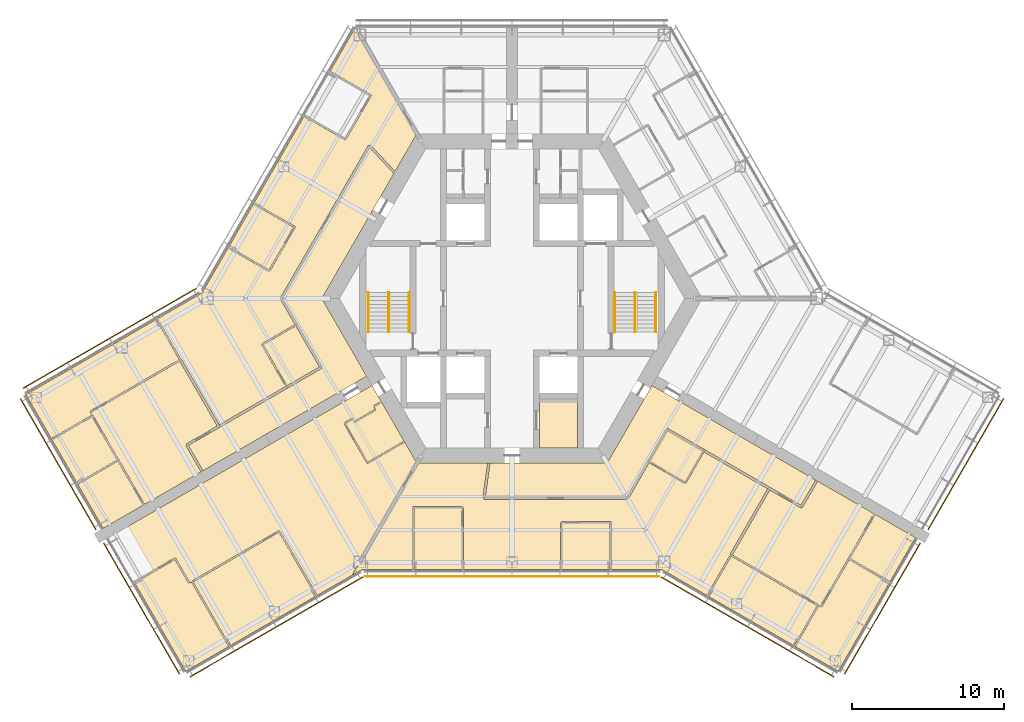
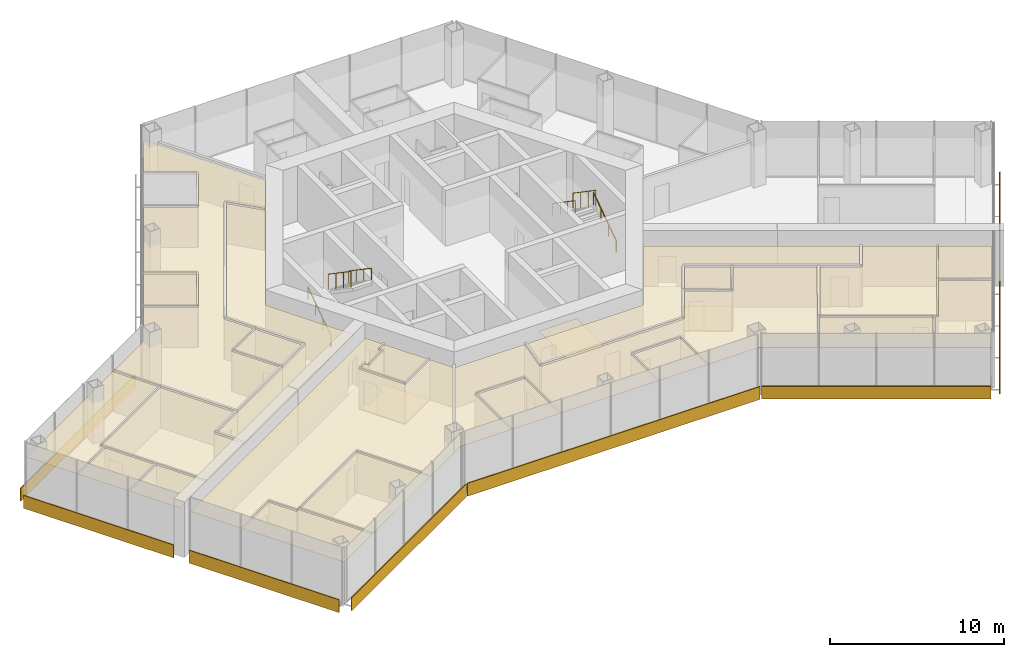
# One storey, part 18 of 19: 24 coverings, 8 shading devices, 6 railings.
"""IFC4 building model written with IfcOpenShell, lengths in metres."""

import ifcopenshell
import ifcopenshell.guid

model = None  # the IFC model being written
_history = None  # IfcOwnerHistory: only IFC2X3 demands one
_inside = {}  # id of a spatial element -> (the spatial element, [elements in it])
_under = {}  # id of a project, library or spatial element -> (it, [spatial elements below it])
_declared = {}  # id of a project -> (the project, [libraries it declares])
_typed = {}  # id of a type object -> (the type object, [elements of that type])
_made_of = {}  # id of a material, layer set ... -> (it, [elements and type objects made of it])


def new_model(schema):
    """Start an empty IFC model of exactly this schema.

    Asked for "IFC4X3", IfcOpenShell would pick the latest addendum, in which some entities
    have other attributes; the version numbers below select the first issue.
    IFC2X3 requires an IfcOwnerHistory on every rooted entity: one is made here for all.
    """
    global model, _history
    if schema == "IFC4X3":
        model = ifcopenshell.file(schema_version=(4, 3, 0, 0))
    else:
        model = ifcopenshell.file(schema=schema)
    _inside.clear()
    _under.clear()
    _declared.clear()
    _typed.clear()
    _made_of.clear()
    _history = None
    if model.schema == "IFC2X3":
        org = make("IfcOrganization", Name="unknown")
        user = make(
            "IfcPersonAndOrganization",
            ThePerson=make("IfcPerson", FamilyName="unknown"),
            TheOrganization=org,
        )
        app = make(
            "IfcApplication",
            ApplicationDeveloper=org,
            Version="unknown",
            ApplicationFullName="unknown",
            ApplicationIdentifier="unknown",
        )
        _history = make(
            "IfcOwnerHistory",
            OwningUser=user,
            OwningApplication=app,
            ChangeAction="ADDED",
            CreationDate=0,
        )
    return model


def make(cls, **values):
    """One entity of the class cls with the attributes given. An attribute that is None is left unset."""
    return model.create_entity(
        cls, **{name: value for name, value in values.items() if value is not None}
    )


def rooted(cls, **values):
    """An entity with a GlobalId (a new one), such as an element, a storey or a relation."""
    return make(cls, GlobalId=ifcopenshell.guid.new(), OwnerHistory=_history, **values)


def si_unit(unit_type, name, prefix=None):
    """IfcSIUnit, for example si_unit("LENGTHUNIT", "METRE", prefix="MILLI")."""
    return make("IfcSIUnit", UnitType=unit_type, Prefix=prefix, Name=name)


def assignment(units):
    """IfcUnitAssignment: the units of a project."""
    return None if units is None else make("IfcUnitAssignment", Units=units)


def point(xyz):
    """IfcCartesianPoint."""
    return None if xyz is None else make("IfcCartesianPoint", Coordinates=xyz)


def direction(xyz):
    """IfcDirection."""
    return None if xyz is None else make("IfcDirection", DirectionRatios=xyz)


def frame(location, z_axis=None, x_axis=None):
    """IfcAxis2Placement3D, a coordinate frame: its origin and axes. An axis left out is left unset."""
    return make(
        "IfcAxis2Placement3D",
        Location=point(location),
        Axis=direction(z_axis),
        RefDirection=direction(x_axis),
    )


def frame_2d(location, x_axis=None):
    """IfcAxis2Placement2D, a coordinate frame in the plane: its origin and x axis."""
    return make(
        "IfcAxis2Placement2D", Location=point(location), RefDirection=direction(x_axis)
    )


def origin():
    """The frame at (0, 0, 0) with its axes left unset."""
    return frame((0.0, 0.0, 0.0))


def origin_2d():
    """The frame at (0, 0) in the plane with its x axis left unset."""
    return frame_2d((0.0, 0.0))


def place(relative_to, where):
    """IfcLocalPlacement: puts the frame where relative to a parent placement (None: the world)."""
    return make(
        "IfcLocalPlacement", PlacementRelTo=relative_to, RelativePlacement=where
    )


def context(
    kind, dimensions, precision=None, world=None, true_north=None, identifier=None
):
    """IfcGeometricRepresentationContext, for example the 3D "Model" context."""
    return make(
        "IfcGeometricRepresentationContext",
        ContextIdentifier=identifier,
        ContextType=kind,
        CoordinateSpaceDimension=dimensions,
        Precision=precision,
        WorldCoordinateSystem=world,
        TrueNorth=true_north,
    )


def subcontext(parent, identifier, kind, view, scale=None):
    """IfcGeometricRepresentationSubContext, for example "Body" below "Model"."""
    return make(
        "IfcGeometricRepresentationSubContext",
        ContextIdentifier=identifier,
        ContextType=kind,
        ParentContext=parent,
        TargetScale=scale,
        TargetView=view,
    )


def project(units=None, contexts=None):
    """IfcProject with its units and contexts."""
    return rooted(
        "IfcProject",
        Name="project",
        RepresentationContexts=contexts,
        UnitsInContext=assignment(units),
    )


def spatial(cls, under=None, at=None, **own):
    """A site, building, storey or space (cls), placed at a placement, below another one or the project."""
    s = rooted(cls, ObjectPlacement=at, **own)
    if under is not None:
        _under.setdefault(under.id(), (under, []))[1].append(s)
    return s


def polyline(points):
    """IfcPolyline through the points."""
    return make("IfcPolyline", Points=[point(p) for p in points])


def profile(cls, at=None, kind="AREA", **sizes):
    """A parametric profile (cls). Its sizes go by their IFC names, for example OverallWidth=200.0."""
    return make(cls, ProfileType=kind, Position=at, **sizes)


def rectangle(**sizes):
    """IfcRectangleProfileDef."""
    return profile("IfcRectangleProfileDef", **sizes)


def circle(**sizes):
    """IfcCircleProfileDef."""
    return profile("IfcCircleProfileDef", **sizes)


def outline(outer, holes=None, kind="AREA"):
    """IfcArbitraryClosedProfileDef: a profile drawn as a closed curve; with holes, ...WithVoids."""
    if holes is None:
        return make("IfcArbitraryClosedProfileDef", ProfileType=kind, OuterCurve=outer)
    return make(
        "IfcArbitraryProfileDefWithVoids",
        ProfileType=kind,
        OuterCurve=outer,
        InnerCurves=holes,
    )


def extrude(swept, where, along, depth):
    """IfcExtrudedAreaSolid: the profile swept, set in the frame where, extruded along a direction by depth."""
    return make(
        "IfcExtrudedAreaSolid",
        SweptArea=swept,
        Position=where,
        ExtrudedDirection=direction(along),
        Depth=depth,
    )


def shape(context_of_items, identifier, shape_type, items):
    """IfcShapeRepresentation: the items that make up one representation, for example the "Body"."""
    return make(
        "IfcShapeRepresentation",
        ContextOfItems=context_of_items,
        RepresentationIdentifier=identifier,
        RepresentationType=shape_type,
        Items=items,
    )


def material(Name=None, Category=None):
    """IfcMaterial."""
    return make("IfcMaterial", Name=Name, Category=Category)


def layer(
    of_material, thickness, ventilated=None, Name=None, Category=None, Priority=None
):
    """IfcMaterialLayer: one layer of a wall or slab, of a material (None: an air gap)."""
    return make(
        "IfcMaterialLayer",
        Material=of_material,
        LayerThickness=thickness,
        IsVentilated=ventilated,
        Name=Name,
        Category=Category,
        Priority=Priority,
    )


def layer_set(layers, Name=None):
    """IfcMaterialLayerSet."""
    return make("IfcMaterialLayerSet", MaterialLayers=layers, LayerSetName=Name)


def made_of(thing, what):
    """Note that an element or type object is made of a material, layer set ...; save() writes the relation."""
    if what is not None:
        _made_of.setdefault(what.id(), (what, []))[1].append(thing)
    return thing


def type_object(cls, material=None, **own):
    """A type object (cls), such as IfcWallType, which elements share."""
    return made_of(rooted(cls, **own), material)


def element(
    cls,
    number,
    at=None,
    inside=None,
    cuts=None,
    type_object=None,
    material=None,
    context=None,
    identifier="Body",
    shape_type=None,
    held_by="IfcProductDefinitionShape",
    body=None,
    shapes=None,
    **own,
):
    """One element of the class cls, such as IfcWall. Its Tag is "e" and its number.

    at: its placement. inside: the storey or other place that contains it. cuts: it is an
    opening in that element (IfcRelVoidsElement). A single representation is given by context,
    identifier, shape_type and body (its items); several are given by shapes. held_by: the class
    of the entity that holds the representations. save() writes the other relations.
    """
    e = rooted(cls, Tag="e%d" % number, ObjectPlacement=at, **own)
    if body is not None:
        shapes = [shape(context, identifier, shape_type, body)]
    if shapes is not None:
        e.Representation = make(held_by, Representations=shapes)
    if inside is not None:
        _inside.setdefault(inside.id(), (inside, []))[1].append(e)
    if cuts is not None:
        rooted(
            "IfcRelVoidsElement", RelatingBuildingElement=cuts, RelatedOpeningElement=e
        )
    if type_object is not None:
        _typed.setdefault(type_object.id(), (type_object, []))[1].append(e)
    return made_of(e, material)


def aggregate(whole, parts):
    """IfcRelAggregates: a whole, such as a stair, and the parts it consists of."""
    return rooted("IfcRelAggregates", RelatingObject=whole, RelatedObjects=parts)


def save(model, path):
    """Write the relations noted so far, then the file.

    IfcRelAggregates (storeys below a building ...), IfcRelContainedInSpatialStructure (elements
    in a storey), IfcRelDefinesByType, IfcRelAssociatesMaterial and IfcRelDeclares: one each for
    every whole, place, type object, material and project.
    """
    for whole, parts in _under.values():
        aggregate(whole, parts)
    for where, things in _inside.values():
        rooted(
            "IfcRelContainedInSpatialStructure",
            RelatedElements=things,
            RelatingStructure=where,
        )
    for kind, things in _typed.values():
        rooted("IfcRelDefinesByType", RelatedObjects=things, RelatingType=kind)
    for what, things in _made_of.values():
        rooted("IfcRelAssociatesMaterial", RelatedObjects=things, RelatingMaterial=what)
    for by, libraries in _declared.values():
        rooted("IfcRelDeclares", RelatingContext=by, RelatedDefinitions=libraries)
    model.write(path)


model = new_model("IFC4")

# Units and contexts
model_context = context("Model", 3, precision=1e-05, world=origin(), true_north=direction((0.0, 1.0)))
body_context = subcontext(model_context, "Body", "Model", "MODEL_VIEW")
ifc_project = project(units=[si_unit("LENGTHUNIT", "METRE"), si_unit("AREAUNIT", "SQUARE_METRE"), si_unit("VOLUMEUNIT", "CUBIC_METRE"), si_unit("PLANEANGLEUNIT", "RADIAN"), si_unit("MASSUNIT", "GRAM", prefix="KILO")], contexts=[model_context])

# Site, building, storey
site_placement = place(None, origin())
site = spatial("IfcSite", under=ifc_project, at=site_placement, CompositionType="ELEMENT")
building_placement = place(site_placement, origin())
building = spatial("IfcBuilding", under=site, at=building_placement, Name="Kasaneha Research Tower", CompositionType="ELEMENT")
storey_placement = place(building_placement, frame((0.0, 0.0, 164.300048828125)))
storey = spatial("IfcBuildingStorey", under=building, at=storey_placement, Name="L41", CompositionType="ELEMENT", Elevation=164.300048828125)

# Railings
ifc_material_1 = material(Name="Steel", Category="steel")
railing_type_1 = type_object("IfcRailingType", Name="Stair balustrade 1100", PredefinedType="GUARDRAIL", material=ifc_material_1)
for number, where, name in (
    (1, (8.10009765625, 0.39990234375, 2.127197265625), "Stair 1 balustrade L41"),
    (2, (-8.10009765625, 0.39990234375, 2.127197265625), "Stair 2 balustrade L41"),
):
    element("IfcRailing", number, at=place(storey_placement, frame(where)), inside=storey, type_object=railing_type_1, Name=name, PredefinedType="GUARDRAIL", context=body_context, shape_type="SweptSolid", body=[
        extrude(circle(Radius=0.02392578125, at=origin_2d()), frame((0.0, 0.0, 1.076171875), z_axis=(0.0, -0.826215852431, 0.563353676824), x_axis=(1.0, 0.0, 0.0)), (0.0, 0.0, 1.0), 3.146728515625),
        extrude(circle(Radius=0.02099609375, at=origin_2d()), origin(), (0.0, 0.0, 1.0), 1.052001953125),
        extrude(circle(Radius=0.02099609375, at=origin_2d()), frame((0.0, -0.86669921875, 0.5908203125)), (0.0, 0.0, 1.0), 1.052001953125),
        extrude(circle(Radius=0.02099609375, at=origin_2d()), frame((0.0, -1.733154296875, 1.181884765625)), (0.0, 0.0, 1.0), 1.052001953125),
        extrude(circle(Radius=0.02099609375, at=origin_2d()), frame((0.0, -2.599853515625, 1.772705078125)), (0.0, 0.0, 1.0), 1.052001953125),
    ])
ifc_material_2 = material(Name="Steel", Category="steel")
railing_type_2 = type_object("IfcRailingType", Name="Stair handrail 850", PredefinedType="HANDRAIL", material=ifc_material_2)
railing_1_placement = place(storey_placement, frame((9.449951171875, -2.199951171875, 0.17724609375)))
element("IfcRailing", 3, at=railing_1_placement, inside=storey, type_object=railing_type_2, Name="Stair 1 handrail L41", PredefinedType="HANDRAIL", context=body_context, shape_type="SweptSolid", body=[
    extrude(circle(Radius=0.02392578125, at=origin_2d()), frame((0.0, 0.0, 0.826171875), z_axis=(0.0, 0.826215852431, 0.563353676824), x_axis=(-1.0, 0.0, 0.0)), (0.0, 0.0, 1.0), 3.146728515625),
    extrude(circle(Radius=0.02099609375, at=origin_2d()), origin(), (0.0, 0.0, 1.0), 0.802001953125),
    extrude(circle(Radius=0.02099609375, at=origin_2d()), frame((0.0, 0.86669921875, 0.5908203125)), (0.0, 0.0, 1.0), 0.802001953125),
    extrude(circle(Radius=0.02099609375, at=origin_2d()), frame((0.0, 1.733154296875, 1.181884765625)), (0.0, 0.0, 1.0), 0.802001953125),
    extrude(circle(Radius=0.02099609375, at=origin_2d()), frame((0.0, 2.599853515625, 1.772705078125)), (0.0, 0.0, 1.0), 0.802001953125),
])
railing_2_placement = place(storey_placement, frame((6.75, 0.39990234375, 2.127197265625)))
element("IfcRailing", 4, at=railing_2_placement, inside=storey, type_object=railing_type_2, Name="Stair 1 handrail L41", PredefinedType="HANDRAIL", context=body_context, shape_type="SweptSolid", body=[
    extrude(circle(Radius=0.02392578125, at=origin_2d()), frame((0.0, 0.0, 0.826171875), z_axis=(0.0, -0.826215852431, 0.563353676824), x_axis=(1.0, 0.0, 0.0)), (0.0, 0.0, 1.0), 3.146728515625),
    extrude(circle(Radius=0.02099609375, at=origin_2d()), origin(), (0.0, 0.0, 1.0), 0.802001953125),
    extrude(circle(Radius=0.02099609375, at=origin_2d()), frame((0.0, -0.86669921875, 0.5908203125)), (0.0, 0.0, 1.0), 0.802001953125),
    extrude(circle(Radius=0.02099609375, at=origin_2d()), frame((0.0, -1.733154296875, 1.181884765625)), (0.0, 0.0, 1.0), 0.802001953125),
    extrude(circle(Radius=0.02099609375, at=origin_2d()), frame((0.0, -2.599853515625, 1.772705078125)), (0.0, 0.0, 1.0), 0.802001953125),
])
railing_3_placement = place(storey_placement, frame((-9.449951171875, -2.199951171875, 0.17724609375)))
element("IfcRailing", 5, at=railing_3_placement, inside=storey, type_object=railing_type_2, Name="Stair 2 handrail L41", PredefinedType="HANDRAIL", context=body_context, shape_type="SweptSolid", body=[
    extrude(circle(Radius=0.02392578125, at=origin_2d()), frame((0.0, 0.0, 0.826171875), z_axis=(0.0, 0.826215852431, 0.563353676824), x_axis=(-1.0, 0.0, 0.0)), (0.0, 0.0, 1.0), 3.146728515625),
    extrude(circle(Radius=0.02099609375, at=origin_2d()), origin(), (0.0, 0.0, 1.0), 0.802001953125),
    extrude(circle(Radius=0.02099609375, at=origin_2d()), frame((0.0, 0.86669921875, 0.5908203125)), (0.0, 0.0, 1.0), 0.802001953125),
    extrude(circle(Radius=0.02099609375, at=origin_2d()), frame((0.0, 1.733154296875, 1.181884765625)), (0.0, 0.0, 1.0), 0.802001953125),
    extrude(circle(Radius=0.02099609375, at=origin_2d()), frame((0.0, 2.599853515625, 1.772705078125)), (0.0, 0.0, 1.0), 0.802001953125),
])
railing_4_placement = place(storey_placement, frame((-6.75, 0.39990234375, 2.127197265625)))
element("IfcRailing", 6, at=railing_4_placement, inside=storey, type_object=railing_type_2, Name="Stair 2 handrail L41", PredefinedType="HANDRAIL", context=body_context, shape_type="SweptSolid", body=[
    extrude(circle(Radius=0.02392578125, at=origin_2d()), frame((0.0, 0.0, 0.826171875), z_axis=(0.0, -0.826215852431, 0.563353676824), x_axis=(1.0, 0.0, 0.0)), (0.0, 0.0, 1.0), 3.146728515625),
    extrude(circle(Radius=0.02099609375, at=origin_2d()), origin(), (0.0, 0.0, 1.0), 0.802001953125),
    extrude(circle(Radius=0.02099609375, at=origin_2d()), frame((0.0, -0.86669921875, 0.5908203125)), (0.0, 0.0, 1.0), 0.802001953125),
    extrude(circle(Radius=0.02099609375, at=origin_2d()), frame((0.0, -1.733154296875, 1.181884765625)), (0.0, 0.0, 1.0), 0.802001953125),
    extrude(circle(Radius=0.02099609375, at=origin_2d()), frame((0.0, -2.599853515625, 1.772705078125)), (0.0, 0.0, 1.0), 0.802001953125),
])

# Coverings
ifc_material_3 = material(Name="Gypsum ceiling board", Category="gypsum")
ifc_layer_1 = layer(ifc_material_3, 0.02001953125)
ifc_layer_set_1 = layer_set([ifc_layer_1], Name="Suspended ceiling 20")
covering_type_1 = type_object("IfcCoveringType", Name="Suspended ceiling 20", PredefinedType="CEILING", material=ifc_layer_set_1)
covering_1_placement = place(storey_placement, frame((0.0, 0.0, 2.800048828125)))
element("IfcCovering", 7, at=covering_1_placement, inside=storey, type_object=covering_type_1, Name="Ceiling L41-36", PredefinedType="CEILING", context=body_context, shape_type="SweptSolid", body=[
    extrude(outline(polyline([(-9.5498046875, -5.109375), (-10.3291015625, -5.559326171875), (-10.3291015625, -5.559326171875), (-20.37109375, -11.357177734375), (-20.381103515625, -11.33984375), (-20.316162109375, -11.30224609375), (-21.268798828125, -9.652587890625), (-19.234130859375, -8.477783203125), (-19.23388671875, -8.477783203125), (-14.751953125, -5.89013671875), (-14.751953125, -5.89013671875), (-12.504150390625, -4.59228515625), (-12.54150390625, -4.52734375), (-12.4765625, -4.48974609375), (-14.099365234375, -1.67919921875), (-14.099365234375, -1.67919921875), (-15.06884765625, 0.0), (-9.345947265625, 9.912353515625), (-7.7890625, 8.24267578125), (-7.734130859375, 8.2939453125), (-7.719970703125, 8.278564453125), (-12.49951171875, 0.0), (-9.5498046875, -5.109375)])), origin(), (0.0, 0.0, 1.0), 0.02001953125),
])
covering_2_placement = place(storey_placement, frame((0.0, 0.0, 2.800048828125)))
element("IfcCovering", 8, at=covering_2_placement, inside=storey, type_object=covering_type_1, Name="Ceiling L41-37", PredefinedType="CEILING", context=body_context, shape_type="SweptSolid", body=[
    extrude(outline(polyline([(-23.332275390625, -1.36962890625), (-23.37548828125, -1.39453125), (-21.86669921875, -4.01708984375), (-27.730224609375, -7.40869140625), (-27.705322265625, -7.4521484375), (-27.705322265625, -7.4521484375), (-27.564453125, -7.69677734375), (-27.564453125, -7.69677734375), (-27.592041015625, -7.649169921875), (-30.257568359375, -9.193603515625), (-30.232421875, -9.23681640625), (-30.25, -9.2470703125), (-31.94189453125, -6.31689453125), (-29.075439453125, -4.661865234375), (-28.665771484375, -5.370849609375), (-29.074951171875, -4.662109375), (-23.34228515625, -1.352294921875), (-23.332275390625, -1.36962890625)])), origin(), (0.0, 0.0, 1.0), 0.02001953125),
])
covering_3_placement = place(storey_placement, frame((0.0, 0.0, 2.800048828125)))
element("IfcCovering", 9, at=covering_3_placement, inside=storey, type_object=covering_type_1, Name="Ceiling L41-38", PredefinedType="CEILING", context=body_context, shape_type="SweptSolid", body=[
    extrude(outline(polyline([(-30.249755859375, -9.2470703125), (-30.232421875, -9.237060546875), (-30.207275390625, -9.2802734375), (-27.589111328125, -7.76318359375), (-25.94775390625, -10.606689453125), (-28.5830078125, -12.1337890625), (-30.249755859375, -9.2470703125)])), origin(), (0.0, 0.0, 1.0), 0.02001953125),
])
covering_4_placement = place(storey_placement, frame((0.0, 0.0, 2.800048828125)))
element("IfcCovering", 10, at=covering_4_placement, inside=storey, type_object=covering_type_1, Name="Ceiling L41-39", PredefinedType="CEILING", context=body_context, shape_type="SweptSolid", body=[
    extrude(outline(polyline([(-28.532958984375, -12.220458984375), (-25.897705078125, -10.693359375), (-24.23486328125, -13.56494140625), (-24.191650390625, -13.539794921875), (-24.181640625, -13.55712890625), (-26.866455078125, -15.107177734375), (-28.532958984375, -12.220458984375)])), origin(), (0.0, 0.0, 1.0), 0.02001953125),
])
covering_5_placement = place(storey_placement, frame((0.0, 0.0, 2.800048828125)))
element("IfcCovering", 11, at=covering_5_placement, inside=storey, type_object=covering_type_1, Name="Ceiling L41-40", PredefinedType="CEILING", context=body_context, shape_type="SweptSolid", body=[
    extrude(outline(polyline([(-16.99658203125, 6.201904296875), (-14.355224609375, 4.677001953125), (-15.970703125, 1.87890625), (-18.5947265625, 3.393798828125), (-18.619873046875, 3.3505859375), (-18.63720703125, 3.360595703125), (-16.99658203125, 6.201904296875)])), origin(), (0.0, 0.0, 1.0), 0.02001953125),
])
covering_6_placement = place(storey_placement, frame((0.0, 0.0, 2.800048828125)))
element("IfcCovering", 12, at=covering_6_placement, inside=storey, type_object=covering_type_1, Name="Ceiling L41-42", PredefinedType="CEILING", context=body_context, shape_type="SweptSolid", body=[
    extrude(outline(polyline([(-16.349853515625, -3.03125), (-14.204345703125, -1.79736328125), (-12.64404296875, -4.499755859375), (-14.78369140625, -5.735107421875), (-16.349853515625, -3.03125)])), origin(), (0.0, 0.0, 1.0), 0.02001953125),
])
covering_7_placement = place(storey_placement, frame((0.0, 0.0, 2.800048828125)))
element("IfcCovering", 13, at=covering_7_placement, inside=storey, type_object=covering_type_1, Name="Ceiling L41-43", PredefinedType="CEILING", context=body_context, shape_type="SweptSolid", body=[
    extrude(outline(polyline([(-9.360595703125, 10.037841796875), (-9.360595703125, 10.037841796875), (-9.425048828125, 10.0751953125), (-15.220458984375, 0.03759765625), (-15.15576171875, 0.000244140625), (-15.156005859375, 0.000244140625), (-15.15576171875, -0.000244140625), (-15.220458984375, -0.03759765625), (-14.25439453125, -1.710693359375), (-16.443115234375, -2.969482421875), (-16.41845703125, -3.012451171875), (-16.418701171875, -3.0126953125), (-16.418701171875, -3.012939453125), (-16.46142578125, -3.037841796875), (-14.870361328125, -5.78515625), (-19.2353515625, -8.305419921875), (-21.729248046875, -3.995361328125), (-21.75537109375, -4.01025390625), (-23.288818359375, -1.3447265625), (-23.331787109375, -1.369384765625), (-23.341796875, -1.35205078125), (-20.365966796875, 0.365966796875), (-18.637451171875, 3.360107421875), (-18.6201171875, 3.35009765625), (-18.644775390625, 3.30712890625), (-15.9775390625, 1.76708984375), (-15.952392578125, 1.810546875), (-15.9521484375, 1.810302734375), (-15.9521484375, 1.810302734375), (-15.9091796875, 1.785400390625), (-14.24365234375, 4.670166015625), (-14.28662109375, 4.695068359375), (-14.28662109375, 4.6953125), (-14.286865234375, 4.695556640625), (-14.261962890625, 4.738525390625), (-16.94677734375, 6.28857421875), (-13.64111328125, 12.01416015625), (-13.62353515625, 12.004150390625), (-13.6484375, 11.961181640625), (-10.981201171875, 10.421142578125), (-10.9560546875, 10.464599609375), (-10.912841796875, 10.439453125), (-9.247314453125, 13.32421875), (-9.290283203125, 13.34912109375), (-9.2900390625, 13.349365234375), (-9.29052734375, 13.349609375), (-9.265625, 13.392578125), (-11.9501953125, 14.9423828125), (-10.28857421875, 17.820556640625), (-6.249755859375, 10.824951171875), (-7.6806640625, 8.346435546875), (-9.305419921875, 10.0888671875), (-9.360107421875, 10.03759765625), (-9.3603515625, 10.03759765625), (-9.360595703125, 10.037841796875)])), origin(), (0.0, 0.0, 1.0), 0.02001953125),
])
covering_8_placement = place(storey_placement, frame((0.0, 0.0, 2.800048828125)))
element("IfcCovering", 14, at=covering_8_placement, inside=storey, type_object=covering_type_1, Name="Ceiling L41-44", PredefinedType="CEILING", context=body_context, shape_type="SweptSolid", body=[
    extrude(outline(polyline([(-23.14501953125, -12.958740234375), (-24.18115234375, -13.556884765625), (-24.191162109375, -13.53955078125), (-24.1484375, -13.5146484375), (-25.833740234375, -10.604248046875), (-27.525146484375, -7.674072265625), (-27.564208984375, -7.696533203125), (-27.705322265625, -7.4521484375), (-27.705322265625, -7.4521484375), (-27.68017578125, -7.495361328125), (-21.833984375, -4.11376953125), (-19.365234375, -8.38037109375), (-21.40869140625, -9.56005859375), (-21.37109375, -9.625), (-21.43603515625, -9.66259765625), (-20.446044921875, -11.377197265625), (-20.381591796875, -11.340087890625), (-20.37158203125, -11.357421875), (-23.14501953125, -12.958740234375)])), origin(), (0.0, 0.0, 1.0), 0.02001953125),
])
covering_9_placement = place(storey_placement, frame((0.0, 0.0, 2.800048828125)))
element("IfcCovering", 15, at=covering_9_placement, inside=storey, type_object=covering_type_1, Name="Ceiling L41-45", PredefinedType="CEILING", context=body_context, shape_type="SweptSolid", body=[
    extrude(outline(polyline([(-10.35498046875, -8.11474609375), (-10.35498046875, -8.11474609375), (-10.330078125, -8.157958984375), (-8.9443359375, -7.35791015625), (-8.994384765625, -7.271240234375), (-8.994384765625, -7.271240234375), (-9.09423828125, -7.09814453125), (-9.09423828125, -7.09814453125), (-9.0693359375, -7.141357421875), (-8.56689453125, -6.851318359375), (-8.592041015625, -6.80810546875), (-8.57470703125, -6.798095703125), (-7.07470703125, -9.396240234375), (-7.092041015625, -9.40625), (-7.116943359375, -9.36279296875), (-9.481201171875, -10.727783203125), (-10.931396484375, -8.21630859375), (-10.455078125, -7.94140625), (-10.35498046875, -8.11474609375)])), origin(), (0.0, 0.0, 1.0), 0.02001953125),
])
covering_10_placement = place(storey_placement, frame((0.0, 0.0, 2.800048828125)))
element("IfcCovering", 16, at=covering_10_placement, inside=storey, type_object=covering_type_1, Name="Ceiling L41-46", PredefinedType="CEILING", context=body_context, shape_type="SweptSolid", body=[
    extrude(outline(polyline([(-18.574951171875, -22.8486328125), (-18.5849609375, -22.831298828125), (-18.541748046875, -22.806396484375), (-20.949951171875, -18.6240234375), (-15.310546875, -15.363525390625), (-12.885498046875, -19.563720703125), (-18.574951171875, -22.8486328125)])), origin(), (0.0, 0.0, 1.0), 0.02001953125),
])
covering_11_placement = place(storey_placement, frame((0.0, 0.0, 2.800048828125)))
element("IfcCovering", 17, at=covering_11_placement, inside=storey, type_object=covering_type_1, Name="Ceiling L41-47", PredefinedType="CEILING", context=body_context, shape_type="SweptSolid", body=[
    extrude(outline(polyline([(-21.206298828125, -18.708740234375), (-21.025390625, -18.604736328125), (-21.025146484375, -18.60498046875), (-21.0634765625, -18.627197265625), (-18.62841796875, -22.856201171875), (-18.585205078125, -22.831298828125), (-18.574951171875, -22.84912109375), (-21.44140625, -24.50390625), (-23.13330078125, -21.57373046875), (-20.850341796875, -20.255615234375), (-23.133056640625, -21.573486328125), (-24.7998046875, -18.686767578125), (-22.158203125, -17.16162109375), (-21.24951171875, -18.733642578125), (-21.206298828125, -18.70849609375), (-21.206298828125, -18.708740234375)])), origin(), (0.0, 0.0, 1.0), 0.02001953125),
])
covering_12_placement = place(storey_placement, frame((0.0, 0.0, 2.800048828125)))
element("IfcCovering", 18, at=covering_12_placement, inside=storey, type_object=covering_type_1, Name="Ceiling L41-48", PredefinedType="CEILING", context=body_context, shape_type="SweptSolid", body=[
    extrude(outline(polyline([(-9.19970703125, -5.715576171875), (-8.574951171875, -6.797607421875), (-8.59228515625, -6.8076171875), (-8.616943359375, -6.764892578125), (-9.119384765625, -7.0546875), (-9.094482421875, -7.09765625), (-9.0947265625, -7.097900390625), (-8.99462890625, -7.271484375), (-10.379638671875, -8.071044921875), (-10.47998046875, -7.897705078125), (-10.480224609375, -7.897705078125), (-10.5048828125, -7.854736328125), (-11.024658203125, -8.15478515625), (-10.999755859375, -8.19775390625), (-11.0, -8.197998046875), (-11.0, -8.1982421875), (-11.04296875, -8.22314453125), (-9.54296875, -10.8212890625), (-9.5, -10.79638671875), (-9.5, -10.796630859375), (-9.49951171875, -10.79638671875), (-9.474609375, -10.839599609375), (-7.06689453125, -9.449462890625), (-7.091796875, -9.40673828125), (-7.074462890625, -9.396728515625), (-6.249755859375, -10.824951171875), (-10.5, -18.1865234375), (-12.798828125, -19.513916015625), (-15.248779296875, -15.270263671875), (-15.2919921875, -15.295166015625), (-15.292236328125, -15.294677734375), (-15.29248046875, -15.294921875), (-15.317138671875, -15.251953125), (-21.048095703125, -18.5654296875), (-21.025390625, -18.604248046875), (-21.206298828125, -18.708740234375), (-21.206298828125, -18.70849609375), (-21.1630859375, -18.68359375), (-22.0966796875, -17.068359375), (-22.139892578125, -17.09326171875), (-22.139892578125, -17.093017578125), (-22.14013671875, -17.093017578125), (-22.1650390625, -17.050048828125), (-24.849609375, -18.60009765625), (-26.516357421875, -15.71337890625), (-10.84521484375, -6.66552734375), (-10.84521484375, -6.66552734375), (-9.979248046875, -6.16552734375), (-9.979248046875, -6.16552734375), (-9.19970703125, -5.715576171875)])), origin(), (0.0, 0.0, 1.0), 0.02001953125),
])
covering_13_placement = place(storey_placement, frame((0.0, 0.0, 2.800048828125)))
element("IfcCovering", 19, at=covering_13_placement, inside=storey, type_object=covering_type_1, Name="Ceiling L41-51", PredefinedType="CEILING", context=body_context, shape_type="SweptSolid", body=[
    extrude(outline(polyline([(10.191650390625, -8.59765625), (10.126708984375, -8.560302734375), (8.90380859375, -10.677978515625), (8.90380859375, -10.677978515625), (7.534423828125, -13.050048828125), (-1.75830078125, -13.050048828125), (-1.449951171875, -10.85546875), (-1.524169921875, -10.844970703125), (-1.521240234375, -10.824951171875), (6.249755859375, -10.824951171875), (9.19970703125, -5.715576171875), (9.979248046875, -6.16552734375), (9.979248046875, -6.16552734375), (10.84521484375, -6.66552734375), (10.84521484375, -6.66552734375), (20.021240234375, -11.96337890625), (20.01123046875, -11.980712890625), (19.9462890625, -11.943115234375), (18.99365234375, -13.593017578125), (16.950439453125, -12.413330078125), (16.950439453125, -12.413330078125), (12.650146484375, -9.930419921875), (12.650146484375, -9.930419921875), (10.22900390625, -8.53271484375), (10.191650390625, -8.59765625), (10.191650390625, -8.59765625), (10.191650390625, -8.59765625)])), origin(), (0.0, 0.0, 1.0), 0.02001953125),
])
covering_14_placement = place(storey_placement, frame((0.0, 0.0, 2.800048828125)))
element("IfcCovering", 20, at=covering_14_placement, inside=storey, type_object=covering_type_1, Name="Ceiling L41-52", PredefinedType="CEILING", context=body_context, shape_type="SweptSolid", body=[
    extrude(outline(polyline([(10.218994140625, -8.7001953125), (12.531982421875, -10.035400390625), (11.373046875, -12.051025390625), (9.058837890625, -10.7099609375), (10.218994140625, -8.7001953125)])), origin(), (0.0, 0.0, 1.0), 0.02001953125),
])
covering_15_placement = place(storey_placement, frame((0.0, 0.0, 2.800048828125)))
element("IfcCovering", 21, at=covering_15_placement, inside=storey, type_object=covering_type_1, Name="Ceiling L41-53", PredefinedType="CEILING", context=body_context, shape_type="SweptSolid", body=[
    extrude(outline(polyline([(12.885498046875, -19.563720703125), (14.412353515625, -16.9287109375), (20.050048828125, -20.18310546875), (18.541748046875, -22.806396484375), (18.5849609375, -22.831298828125), (18.574951171875, -22.8486328125), (12.885498046875, -19.563720703125)])), origin(), (0.0, 0.0, 1.0), 0.02001953125),
])
covering_16_placement = place(storey_placement, frame((0.0, 0.0, 2.800048828125)))
element("IfcCovering", 22, at=covering_16_placement, inside=storey, type_object=covering_type_1, Name="Ceiling L41-54", PredefinedType="CEILING", context=body_context, shape_type="SweptSolid", body=[
    extrude(outline(polyline([(20.850341796875, -20.255615234375), (23.13330078125, -21.57373046875), (21.441650390625, -24.50390625), (18.574951171875, -22.84912109375), (18.585205078125, -22.831298828125), (18.62841796875, -22.856201171875), (20.16357421875, -20.18603515625), (20.125, -20.1640625), (20.125244140625, -20.16357421875), (20.3017578125, -20.264892578125), (20.349609375, -20.29248046875), (22.159423828125, -17.16796875), (24.7998046875, -18.686767578125), (23.133056640625, -21.573486328125), (20.850341796875, -20.255615234375)])), origin(), (0.0, 0.0, 1.0), 0.02001953125),
])
covering_17_placement = place(storey_placement, frame((0.0, 0.0, 2.800048828125)))
element("IfcCovering", 23, at=covering_17_placement, inside=storey, type_object=covering_type_1, Name="Ceiling L41-55", PredefinedType="CEILING", context=body_context, shape_type="SweptSolid", body=[
    extrude(outline(polyline([(24.849609375, -18.60009765625), (22.20947265625, -17.08154296875), (23.864990234375, -14.20556640625), (23.82177734375, -14.1806640625), (23.83154296875, -14.163330078125), (26.516357421875, -15.71337890625), (24.849609375, -18.60009765625)])), origin(), (0.0, 0.0, 1.0), 0.02001953125),
])
covering_18_placement = place(storey_placement, frame((0.0, 0.0, 2.800048828125)))
element("IfcCovering", 24, at=covering_18_placement, inside=storey, type_object=covering_type_1, Name="Ceiling L41-56", PredefinedType="CEILING", context=body_context, shape_type="SweptSolid", body=[
    extrude(outline(polyline([(-6.492919921875, -17.820556640625), (-6.492919921875, -17.800537109375), (-6.44287109375, -17.800537109375), (-6.44287109375, -13.7705078125), (-3.29638671875, -13.7705078125), (-3.29638671875, -17.800537109375), (-3.246337890625, -17.800537109375), (-3.246337890625, -17.820556640625), (-6.492919921875, -17.820556640625)])), origin(), (0.0, 0.0, 1.0), 0.02001953125),
])
covering_19_placement = place(storey_placement, frame((0.0, 0.0, 2.800048828125)))
element("IfcCovering", 25, at=covering_19_placement, inside=storey, type_object=covering_type_1, Name="Ceiling L41-57", PredefinedType="CEILING", context=body_context, shape_type="SweptSolid", body=[
    extrude(outline(polyline([(3.246337890625, -17.820556640625), (3.246337890625, -17.800537109375), (3.29638671875, -17.800537109375), (3.29638671875, -14.7705078125), (6.44287109375, -14.7705078125), (6.44287109375, -17.800537109375), (6.492919921875, -17.800537109375), (6.492919921875, -17.820556640625), (3.246337890625, -17.820556640625)])), origin(), (0.0, 0.0, 1.0), 0.02001953125),
])
covering_20_placement = place(storey_placement, frame((0.0, 0.0, 2.800048828125)))
element("IfcCovering", 26, at=covering_20_placement, inside=storey, type_object=covering_type_1, Name="Ceiling L41-58", PredefinedType="CEILING", context=body_context, shape_type="SweptSolid", body=[
    extrude(outline(polyline([(6.492919921875, -14.719970703125), (6.492919921875, -14.67041015625), (3.246337890625, -14.67041015625), (3.246337890625, -14.72021484375), (3.24609375, -14.72021484375), (3.24609375, -14.720458984375), (3.1962890625, -14.720458984375), (3.1962890625, -17.800537109375), (3.245849609375, -17.800537109375), (3.245849609375, -17.820556640625), (-3.245849609375, -17.820556640625), (-3.245849609375, -17.800537109375), (-3.1962890625, -17.800537109375), (-3.1962890625, -13.720458984375), (-3.24609375, -13.720458984375), (-3.24609375, -13.72021484375), (-3.246337890625, -13.72021484375), (-3.246337890625, -13.67041015625), (-6.492919921875, -13.67041015625), (-6.492919921875, -13.719970703125), (-6.492919921875, -13.719970703125), (-6.492919921875, -13.720458984375), (-6.542724609375, -13.720458984375), (-6.542724609375, -17.800537109375), (-6.493408203125, -17.800537109375), (-6.493408203125, -17.820556640625), (-9.865966796875, -17.820556640625), (-10.5, -18.1865234375), (-6.249755859375, -10.824951171875), (-1.52197265625, -10.824951171875), (-1.524658203125, -10.844970703125), (-1.598388671875, -10.83447265625), (-1.9189453125, -13.114501953125), (-1.8447265625, -13.125), (-1.8447265625, -13.12548828125), (-1.844482421875, -13.12548828125), (-1.844482421875, -13.199951171875), (7.57763671875, -13.199951171875), (7.57763671875, -13.12548828125), (7.577880859375, -13.12548828125), (7.577880859375, -13.125244140625), (7.642578125, -13.16259765625), (9.0087890625, -10.79638671875), (11.366455078125, -12.16259765625), (11.391357421875, -12.119873046875), (11.3916015625, -12.119873046875), (11.391845703125, -12.11962890625), (11.434814453125, -12.144287109375), (12.618408203125, -10.08544921875), (16.810546875, -12.505615234375), (14.32470703125, -16.820556640625), (14.350830078125, -16.83544921875), (12.798828125, -19.513916015625), (9.865966796875, -17.820556640625), (6.493408203125, -17.820556640625), (6.493408203125, -17.800537109375), (6.542724609375, -17.800537109375), (6.542724609375, -14.720458984375), (6.492919921875, -14.720458984375), (6.492919921875, -14.719970703125), (6.492919921875, -14.719970703125)])), origin(), (0.0, 0.0, 1.0), 0.02001953125),
])
covering_21_placement = place(storey_placement, frame((0.0, 0.0, 2.800048828125)))
element("IfcCovering", 27, at=covering_21_placement, inside=storey, type_object=covering_type_1, Name="Ceiling L41-59", PredefinedType="CEILING", context=body_context, shape_type="SweptSolid", body=[
    extrude(outline(polyline([(23.831298828125, -14.1630859375), (23.8212890625, -14.180419921875), (23.7783203125, -14.15576171875), (22.100341796875, -17.070556640625), (20.262939453125, -20.242431640625), (20.295166015625, -20.260986328125), (20.12548828125, -20.1630859375), (20.14794921875, -20.1240234375), (14.479736328125, -16.85205078125), (16.9404296875, -12.58056640625), (18.983642578125, -13.76025390625), (19.021240234375, -13.6953125), (19.086181640625, -13.73291015625), (20.076171875, -12.018310546875), (20.011474609375, -11.98095703125), (20.021484375, -11.963623046875), (23.831298828125, -14.1630859375)])), origin(), (0.0, 0.0, 1.0), 0.02001953125),
])

# Shading devices
ifc_material_4 = material(Name="Terracotta", Category="masonry")
ifc_layer_2 = layer(ifc_material_4, 0.06005859375)
ifc_layer_set_2 = layer_set([ifc_layer_2], Name="Terracotta baguette screen")
shading_device_type = type_object("IfcShadingDeviceType", Name="Terracotta baguette screen", PredefinedType="USERDEFINED", material=ifc_layer_set_2)
shading_device_1_placement = place(storey_placement, frame((0.0, -18.2705078125, -0.449951171875), z_axis=(0.0, 0.0, 1.0), x_axis=(1.0, 0.0, 0.0)))
element("IfcShadingDevice", 28, at=shading_device_1_placement, inside=storey, type_object=shading_device_type, Name="Baguette screen L41 01", ObjectType="TERRACOTTA BAGUETTE SCREEN", PredefinedType="USERDEFINED", context=body_context, shape_type="SweptSolid", body=[
    extrude(rectangle(XDim=19.37841796875, YDim=0.06005859375, at=origin_2d()), origin(), (0.0, 0.0, 1.0), 0.89990234375),
])
shading_device_2_placement = place(storey_placement, frame((15.483642578125, -21.58349609375, -0.449951171875), z_axis=(0.0, 0.0, 1.0), x_axis=(0.866025411464, -0.499999986699, 0.0)))
element("IfcShadingDevice", 29, at=shading_device_2_placement, inside=storey, type_object=shading_device_type, Name="Baguette screen L41 02", ObjectType="TERRACOTTA BAGUETTE SCREEN", PredefinedType="USERDEFINED", context=body_context, shape_type="SweptSolid", body=[
    extrude(rectangle(XDim=13.13916015625, YDim=0.06005859375, at=origin_2d()), origin(), (0.0, 0.0, 1.0), 0.89990234375),
])
for number, where, z_axis, x_axis, name in (
    (30, (24.343505859375, -20.376708984375, -0.449951171875), (0.0, 0.0, 1.0), (0.500000011442, 0.866025397178, 0.0), "Baguette screen L41 03"),
    (31, (29.818603515625, -10.893798828125, -0.449951171875), (0.0, 0.0, 1.0), (0.500000011442, 0.866025397178, 0.0), "Baguette screen L41 04"),
):
    element("IfcShadingDevice", number, at=place(storey_placement, frame(where, z_axis=z_axis, x_axis=x_axis)), inside=storey, type_object=shading_device_type, Name=name, ObjectType="TERRACOTTA BAGUETTE SCREEN", PredefinedType="USERDEFINED", context=body_context, shape_type="SweptSolid", body=[
        extrude(rectangle(XDim=9.949951171875, YDim=0.06005859375, at=origin_2d()), origin(), (0.0, 0.0, 1.0), 0.89990234375),
    ])
shading_device_3_placement = place(storey_placement, frame((-26.43359375, -2.617431640625, -0.449951171875), z_axis=(0.0, 0.0, 1.0), x_axis=(-0.866025411464, -0.499999986699, 0.0)))
element("IfcShadingDevice", 32, at=shading_device_3_placement, inside=storey, type_object=shading_device_type, Name="Baguette screen L41 09", ObjectType="TERRACOTTA BAGUETTE SCREEN", PredefinedType="USERDEFINED", context=body_context, shape_type="SweptSolid", body=[
    extrude(rectangle(XDim=13.13916015625, YDim=0.06005859375, at=origin_2d()), origin(), (0.0, 0.0, 1.0), 0.89990234375),
])
for number, where, z_axis, x_axis, name in (
    (33, (-29.818603515625, -10.893798828125, -0.449951171875), (0.0, 0.0, 1.0), (0.500000011442, -0.866025397178, 0.0), "Baguette screen L41 10"),
    (34, (-24.343505859375, -20.376708984375, -0.449951171875), (0.0, 0.0, 1.0), (0.500000011442, -0.866025397178, 0.0), "Baguette screen L41 11"),
):
    element("IfcShadingDevice", number, at=place(storey_placement, frame(where, z_axis=z_axis, x_axis=x_axis)), inside=storey, type_object=shading_device_type, Name=name, ObjectType="TERRACOTTA BAGUETTE SCREEN", PredefinedType="USERDEFINED", context=body_context, shape_type="SweptSolid", body=[
        extrude(rectangle(XDim=9.949951171875, YDim=0.06005859375, at=origin_2d()), origin(), (0.0, 0.0, 1.0), 0.89990234375),
    ])
shading_device_4_placement = place(storey_placement, frame((-15.483642578125, -21.58349609375, -0.449951171875), z_axis=(0.0, 0.0, 1.0), x_axis=(0.866025411464, 0.499999986699, 0.0)))
element("IfcShadingDevice", 35, at=shading_device_4_placement, inside=storey, type_object=shading_device_type, Name="Baguette screen L41 12", ObjectType="TERRACOTTA BAGUETTE SCREEN", PredefinedType="USERDEFINED", context=body_context, shape_type="SweptSolid", body=[
    extrude(rectangle(XDim=13.13916015625, YDim=0.06005859375, at=origin_2d()), origin(), (0.0, 0.0, 1.0), 0.89990234375),
])

# Coverings
ifc_material_5 = material(Name="Vinyl sheet flooring", Category="plastic")
ifc_layer_3 = layer(ifc_material_5, 0.0048828125)
ifc_layer_set_3 = layer_set([ifc_layer_3], Name="Wet room sheet flooring 5")
covering_type_2 = type_object("IfcCoveringType", Name="Wet room sheet flooring 5", PredefinedType="FLOORING", material=ifc_layer_set_3)
covering_22_placement = place(storey_placement, origin())
element("IfcCovering", 36, at=covering_22_placement, inside=storey, type_object=covering_type_2, Name="Floor finish L41-13", PredefinedType="FLOORING", context=body_context, shape_type="SweptSolid", body=[
    extrude(outline(polyline([(1.800048828125, -9.824951171875), (1.800048828125, -6.60009765625), (4.300048828125, -6.60009765625), (4.300048828125, -9.824951171875), (1.800048828125, -9.824951171875)])), origin(), (0.0, 0.0, 1.0), 0.0048828125),
])
covering_23_placement = place(storey_placement, origin())
element("IfcCovering", 37, at=covering_23_placement, inside=storey, type_object=covering_type_2, Name="Floor finish L41-45", PredefinedType="FLOORING", context=body_context, shape_type="SweptSolid", body=[
    extrude(outline(polyline([(-10.99951171875, -8.1982421875), (-10.47998046875, -7.898193359375), (-10.35498046875, -8.11474609375), (-8.96923828125, -7.314697265625), (-9.09423828125, -7.09814453125), (-8.57470703125, -6.798095703125), (-7.07470703125, -9.396240234375), (-9.49951171875, -10.796142578125), (-10.99951171875, -8.1982421875)])), origin(), (0.0, 0.0, 1.0), 0.0048828125),
])
covering_24_placement = place(storey_placement, origin())
element("IfcCovering", 38, at=covering_24_placement, inside=storey, type_object=covering_type_2, Name="Floor finish L41-52", PredefinedType="FLOORING", context=body_context, shape_type="SweptSolid", body=[
    extrude(outline(polyline([(11.391357421875, -12.119384765625), (8.966552734375, -10.719482421875), (10.191650390625, -8.59765625), (12.616455078125, -9.99755859375), (11.391357421875, -12.119384765625)])), origin(), (0.0, 0.0, 1.0), 0.0048828125),
])

save(model, "model.ifc")
